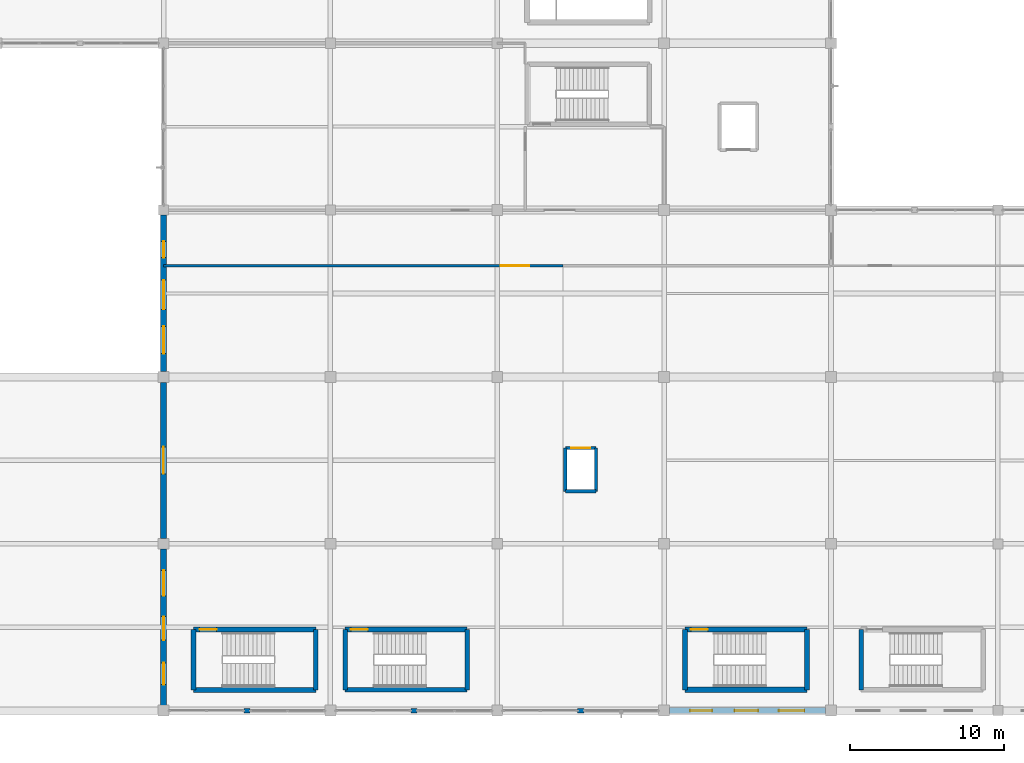
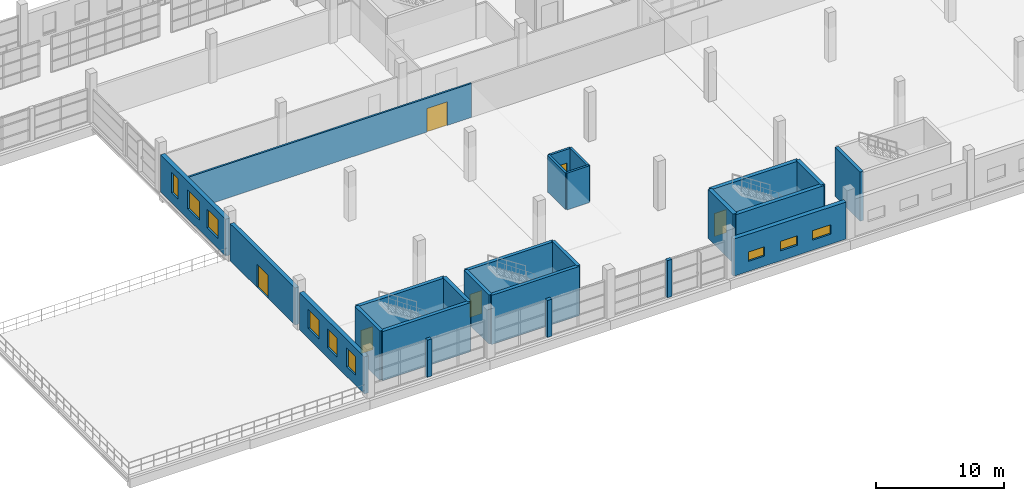
# One storey, part 110 of 142: 25 walls, 9 windows, 6 doors, 15 openings.
"""IFC4 building model written with IfcOpenShell, lengths in metres."""

from ifc_helpers import new_model, si_unit, direction, frame, frame_2d, origin, place, context, subcontext, project, spatial, rectangle, extrude, material, layer, layer_set, type_object, element, fill, save


model = new_model("IFC4")

# Units and contexts
model_context = context("Model", 3, precision=1e-05, world=origin(), true_north=direction((0.0, 1.0)))
body_context = subcontext(model_context, "Body", "Model", "MODEL_VIEW")
ifc_project = project(units=[si_unit("LENGTHUNIT", "METRE"), si_unit("AREAUNIT", "SQUARE_METRE"), si_unit("VOLUMEUNIT", "CUBIC_METRE"), si_unit("PLANEANGLEUNIT", "RADIAN"), si_unit("MASSUNIT", "GRAM", prefix="KILO")], contexts=[model_context])

# Site, building, storey
site_placement = place(None, origin())
site = spatial("IfcSite", under=ifc_project, at=site_placement, CompositionType="ELEMENT")
building_placement = place(site_placement, origin())
building = spatial("IfcBuilding", under=site, at=building_placement, Name="Zwinboog Wholesale Market", CompositionType="ELEMENT")
storey_placement = place(building_placement, frame((0.0, 0.0, 5.39990234375)))
storey = spatial("IfcBuildingStorey", under=building, at=storey_placement, Name="L01", CompositionType="ELEMENT", Elevation=5.39990234375)

# Wall, opening, door
ifc_material_1 = material(Name="Precast concrete C45/55", Category="concrete")
ifc_layer_1 = layer(ifc_material_1, 0.3701171875)
ifc_layer_set_1 = layer_set([ifc_layer_1], Name="Precast concrete C45/55")
wall_type_1 = type_object("IfcWallType", Name="WT-EW-370", PredefinedType="STANDARD", material=ifc_layer_set_1)
wall_1_placement = place(storey_placement, frame((129.60009765625, 11.14501953125, 0.0), z_axis=(0.0, 0.0, 1.0), x_axis=(0.0, 1.0, 0.0)))
wall_1 = element("IfcWall", 1, at=wall_1_placement, inside=storey, type_object=wall_type_1, Name="EW-01 (WL-EW-L01-146)", PredefinedType="STANDARD", context=body_context, shape_type="SweptSolid", body=[
    extrude(rectangle(XDim=10.10986328125, YDim=0.3701171875, at=frame_2d((5.054931640625, 0.0))), origin(), (0.0, 0.0, 1.0), 3.530029296875),
])
opening_1_placement = place(wall_1_placement, frame((4.175048828125, 0.0, 0.0)))
opening_1 = element("IfcOpeningElement", 2, at=opening_1_placement, cuts=wall_1, Name="Opening TD-32", PredefinedType="OPENING", context=body_context, shape_type="SweptSolid", body=[
    extrude(rectangle(XDim=1.760009765625, YDim=2.199951171875, at=frame_2d((0.8798828125, 1.10009765625))), frame((0.0, 0.195068359375, 0.0), z_axis=(0.0, -1.0, 0.0), x_axis=(1.0, 0.0, 0.0)), (0.0, 0.0, 1.0), 0.39013671875),
])
ifc_material_2 = material(Name="Insulated powder-coated steel and aluminium door", Category="steel")
door_type_1 = type_object("IfcDoorType", Name="EDT-TR-176", OperationType="DOUBLE_DOOR_SINGLE_SWING", PredefinedType="DOOR", material=ifc_material_2)
door_1_placement = place(opening_1_placement, origin())
door_1 = element("IfcDoor", 3, at=door_1_placement, inside=storey, type_object=door_type_1, Name="Terrace Access Door TD-32 (TR-L01-DIN)", OperationType="DOUBLE_DOOR_SINGLE_SWING", OverallHeight=2.199951171875, OverallWidth=1.760009765625, PredefinedType="DOOR", context=body_context, shape_type="SweptSolid", body=[
    extrude(rectangle(XDim=1.760009765625, YDim=2.199951171875, at=frame_2d((0.8798828125, 1.10009765625))), frame((0.0, 0.02490234375, 0.0), z_axis=(0.0, -1.0, 0.0), x_axis=(1.0, 0.0, 0.0)), (0.0, 0.0, 1.0), 0.050048828125),
])
fill(opening_1, door_1)

# Wall, openings, windows
ifc_layer_2 = layer(ifc_material_1, 0.389892578125)
ifc_layer_set_2 = layer_set([ifc_layer_2], Name="Precast concrete C45/55")
wall_type_2 = type_object("IfcWallType", Name="WT-EW-390", PredefinedType="STANDARD", material=ifc_layer_set_2)
wall_2_placement = place(storey_placement, frame((129.60009765625, 0.344970703125, 0.0), z_axis=(0.0, 0.0, 1.0), x_axis=(0.0, 1.0, 0.0)))
wall_2 = element("IfcWall", 4, at=wall_2_placement, inside=storey, type_object=wall_type_2, Name="EW-02 (WL-EW-L01-145)", PredefinedType="STANDARD", context=body_context, shape_type="SweptSolid", body=[
    extrude(rectangle(XDim=10.110107421875, YDim=0.389892578125, at=frame_2d((5.05517578125, 0.0))), origin(), (0.0, 0.0, 1.0), 3.530029296875),
])
opening_2_placement = place(wall_2_placement, frame((1.344970703125, 0.0, 0.949951171875)))
opening_2 = element("IfcOpeningElement", 5, at=opening_2_placement, cuts=wall_2, Name="Opening WN-52", PredefinedType="OPENING", context=body_context, shape_type="SweptSolid", body=[
    extrude(rectangle(XDim=1.409912109375, YDim=1.800048828125, at=frame_2d((0.705078125, 0.89990234375))), frame((0.0, 0.204833984375, 0.0), z_axis=(0.0, -1.0, 0.0), x_axis=(1.0, 0.0, 0.0)), (0.0, 0.0, 1.0), 0.409912109375),
])
opening_3_placement = place(wall_2_placement, frame((4.215087890625, 0.0, 0.949951171875)))
opening_3 = element("IfcOpeningElement", 6, at=opening_3_placement, cuts=wall_2, Name="Opening WN-53", PredefinedType="OPENING", context=body_context, shape_type="SweptSolid", body=[
    extrude(rectangle(XDim=1.530029296875, YDim=1.800048828125, at=frame_2d((0.76513671875, 0.89990234375))), frame((0.0, 0.204833984375, 0.0), z_axis=(0.0, -1.0, 0.0), x_axis=(1.0, 0.0, 0.0)), (0.0, 0.0, 1.0), 0.409912109375),
])
opening_4_placement = place(wall_2_placement, frame((7.0849609375, 0.0, 0.949951171875)))
opening_4 = element("IfcOpeningElement", 7, at=opening_4_placement, cuts=wall_2, Name="Opening WN-54", PredefinedType="OPENING", context=body_context, shape_type="SweptSolid", body=[
    extrude(rectangle(XDim=1.64990234375, YDim=1.800048828125, at=frame_2d((0.824951171875, 0.89990234375))), frame((0.0, 0.204833984375, 0.0), z_axis=(0.0, -1.0, 0.0), x_axis=(1.0, 0.0, 0.0)), (0.0, 0.0, 1.0), 0.409912109375),
])
ifc_material_3 = material(Name="Thermally broken aluminium low-e window", Category="aluminium")
window_type_1 = type_object("IfcWindowType", Name="WNT-52", PartitioningType="SINGLE_PANEL", PredefinedType="WINDOW", material=ifc_material_3)
window_1_placement = place(opening_2_placement, origin())
window_1 = element("IfcWindow", 8, at=window_1_placement, inside=storey, type_object=window_type_1, Name="WN-52 (WIN-L01-0124)", OverallHeight=1.800048828125, OverallWidth=1.409912109375, PartitioningType="SINGLE_PANEL", PredefinedType="WINDOW", context=body_context, shape_type="SweptSolid", body=[
    extrude(rectangle(XDim=1.409912109375, YDim=1.800048828125, at=frame_2d((0.705078125, 0.89990234375))), frame((0.0, 0.030029296875, 0.0), z_axis=(0.0, -1.0, 0.0), x_axis=(1.0, 0.0, 0.0)), (0.0, 0.0, 1.0), 0.06005859375),
])
fill(opening_2, window_1)
window_type_2 = type_object("IfcWindowType", Name="WNT-53", PartitioningType="SINGLE_PANEL", PredefinedType="WINDOW", material=ifc_material_3)
window_2_placement = place(opening_3_placement, origin())
window_2 = element("IfcWindow", 9, at=window_2_placement, inside=storey, type_object=window_type_2, Name="WN-53 (WIN-L01-0125)", OverallHeight=1.800048828125, OverallWidth=1.530029296875, PartitioningType="SINGLE_PANEL", PredefinedType="WINDOW", context=body_context, shape_type="SweptSolid", body=[
    extrude(rectangle(XDim=1.530029296875, YDim=1.800048828125, at=frame_2d((0.76513671875, 0.89990234375))), frame((0.0, 0.030029296875, 0.0), z_axis=(0.0, -1.0, 0.0), x_axis=(1.0, 0.0, 0.0)), (0.0, 0.0, 1.0), 0.06005859375),
])
fill(opening_3, window_2)
window_type_3 = type_object("IfcWindowType", Name="WNT-54", PartitioningType="SINGLE_PANEL", PredefinedType="WINDOW", material=ifc_material_3)
window_3_placement = place(opening_4_placement, origin())
window_3 = element("IfcWindow", 10, at=window_3_placement, inside=storey, type_object=window_type_3, Name="WN-54 (WIN-L01-0126)", OverallHeight=1.800048828125, OverallWidth=1.64990234375, PartitioningType="SINGLE_PANEL", PredefinedType="WINDOW", context=body_context, shape_type="SweptSolid", body=[
    extrude(rectangle(XDim=1.64990234375, YDim=1.800048828125, at=frame_2d((0.824951171875, 0.89990234375))), frame((0.0, 0.030029296875, 0.0), z_axis=(0.0, -1.0, 0.0), x_axis=(1.0, 0.0, 0.0)), (0.0, 0.0, 1.0), 0.06005859375),
])
fill(opening_4, window_3)

wall_3_placement = place(storey_placement, frame((129.60009765625, 21.945068359375, 0.0), z_axis=(0.0, 0.0, 1.0), x_axis=(0.0, 1.0, 0.0)))
wall_3 = element("IfcWall", 11, at=wall_3_placement, inside=storey, type_object=wall_type_2, Name="EW-02 (WL-EW-L01-147)", PredefinedType="STANDARD", context=body_context, shape_type="SweptSolid", body=[
    extrude(rectangle(XDim=10.135009765625, YDim=0.389892578125, at=frame_2d((5.0673828125, 0.0))), origin(), (0.0, 0.0, 1.0), 3.530029296875),
])
opening_5_placement = place(wall_3_placement, frame((1.1650390625, 0.0, 0.949951171875)))
opening_5 = element("IfcOpeningElement", 12, at=opening_5_placement, cuts=wall_3, Name="Opening WN-55", PredefinedType="OPENING", context=body_context, shape_type="SweptSolid", body=[
    extrude(rectangle(XDim=1.77001953125, YDim=1.800048828125, at=frame_2d((0.885009765625, 0.89990234375))), frame((0.0, 0.204833984375, 0.0), z_axis=(0.0, -1.0, 0.0), x_axis=(1.0, 0.0, 0.0)), (0.0, 0.0, 1.0), 0.409912109375),
])
opening_6_placement = place(wall_3_placement, frame((4.034912109375, 0.0, 0.949951171875)))
opening_6 = element("IfcOpeningElement", 13, at=opening_6_placement, cuts=wall_3, Name="Opening WN-56", PredefinedType="OPENING", context=body_context, shape_type="SweptSolid", body=[
    extrude(rectangle(XDim=1.889892578125, YDim=1.800048828125, at=frame_2d((0.94482421875, 0.89990234375))), frame((0.0, 0.204833984375, 0.0), z_axis=(0.0, -1.0, 0.0), x_axis=(1.0, 0.0, 0.0)), (0.0, 0.0, 1.0), 0.409912109375),
])
opening_7_placement = place(wall_3_placement, frame((7.385009765625, 0.0, 0.949951171875)))
opening_7 = element("IfcOpeningElement", 14, at=opening_7_placement, cuts=wall_3, Name="Opening WN-57", PredefinedType="OPENING", context=body_context, shape_type="SweptSolid", body=[
    extrude(rectangle(XDim=1.050048828125, YDim=1.949951171875, at=frame_2d((0.52490234375, 0.97509765625))), frame((0.0, 0.204833984375, 0.0), z_axis=(0.0, -1.0, 0.0), x_axis=(1.0, 0.0, 0.0)), (0.0, 0.0, 1.0), 0.409912109375),
])
window_type_4 = type_object("IfcWindowType", Name="WNT-55", PartitioningType="SINGLE_PANEL", PredefinedType="WINDOW", material=ifc_material_3)
window_4_placement = place(opening_5_placement, origin())
window_4 = element("IfcWindow", 15, at=window_4_placement, inside=storey, type_object=window_type_4, Name="WN-55 (WIN-L01-0127)", OverallHeight=1.800048828125, OverallWidth=1.77001953125, PartitioningType="SINGLE_PANEL", PredefinedType="WINDOW", context=body_context, shape_type="SweptSolid", body=[
    extrude(rectangle(XDim=1.77001953125, YDim=1.800048828125, at=frame_2d((0.885009765625, 0.89990234375))), frame((0.0, 0.030029296875, 0.0), z_axis=(0.0, -1.0, 0.0), x_axis=(1.0, 0.0, 0.0)), (0.0, 0.0, 1.0), 0.06005859375),
])
fill(opening_5, window_4)
window_type_5 = type_object("IfcWindowType", Name="WNT-56", PartitioningType="SINGLE_PANEL", PredefinedType="WINDOW", material=ifc_material_3)
window_5_placement = place(opening_6_placement, origin())
window_5 = element("IfcWindow", 16, at=window_5_placement, inside=storey, type_object=window_type_5, Name="WN-56 (WIN-L01-0128)", OverallHeight=1.800048828125, OverallWidth=1.889892578125, PartitioningType="SINGLE_PANEL", PredefinedType="WINDOW", context=body_context, shape_type="SweptSolid", body=[
    extrude(rectangle(XDim=1.889892578125, YDim=1.800048828125, at=frame_2d((0.94482421875, 0.89990234375))), frame((0.0, 0.030029296875, 0.0), z_axis=(0.0, -1.0, 0.0), x_axis=(1.0, 0.0, 0.0)), (0.0, 0.0, 1.0), 0.06005859375),
])
fill(opening_6, window_5)
window_type_6 = type_object("IfcWindowType", Name="WNT-57", PartitioningType="SINGLE_PANEL", PredefinedType="WINDOW", material=ifc_material_3)
window_6_placement = place(opening_7_placement, origin())
window_6 = element("IfcWindow", 17, at=window_6_placement, inside=storey, type_object=window_type_6, Name="WN-57 (WIN-L01-0129)", OverallHeight=1.949951171875, OverallWidth=1.050048828125, PartitioningType="SINGLE_PANEL", PredefinedType="WINDOW", context=body_context, shape_type="SweptSolid", body=[
    extrude(rectangle(XDim=1.050048828125, YDim=1.949951171875, at=frame_2d((0.52490234375, 0.97509765625))), frame((0.0, 0.030029296875, 0.0), z_axis=(0.0, -1.0, 0.0), x_axis=(1.0, 0.0, 0.0)), (0.0, 0.0, 1.0), 0.06005859375),
])
fill(opening_7, window_6)

wall_4_placement = place(storey_placement, frame((162.344970703125, 0.0, 0.0), z_axis=(0.0, 0.0, 1.0), x_axis=(1.0, 0.0, 0.0)))
wall_4 = element("IfcWall", 18, at=wall_4_placement, inside=storey, type_object=wall_type_2, Name="EW-02 (WL-EW-L01-161)", PredefinedType="STANDARD", context=body_context, shape_type="SweptSolid", body=[
    extrude(rectangle(XDim=10.110107421875, YDim=0.389892578125, at=frame_2d((5.05517578125, 0.0))), origin(), (0.0, 0.0, 1.0), 3.530029296875),
])
opening_8_placement = place(wall_4_placement, frame((1.344970703125, 0.0, 0.949951171875)))
opening_8 = element("IfcOpeningElement", 19, at=opening_8_placement, cuts=wall_4, Name="Opening WN-04", PredefinedType="OPENING", context=body_context, shape_type="SweptSolid", body=[
    extrude(rectangle(XDim=1.409912109375, YDim=0.89990234375, at=frame_2d((0.705078125, 0.449951171875))), frame((0.0, 0.204833984375, 0.0), z_axis=(0.0, -1.0, 0.0), x_axis=(1.0, 0.0, 0.0)), (0.0, 0.0, 1.0), 0.409912109375),
])
opening_9_placement = place(wall_4_placement, frame((4.215087890625, 0.0, 0.949951171875)))
opening_9 = element("IfcOpeningElement", 20, at=opening_9_placement, cuts=wall_4, Name="Opening WN-05", PredefinedType="OPENING", context=body_context, shape_type="SweptSolid", body=[
    extrude(rectangle(XDim=1.530029296875, YDim=0.89990234375, at=frame_2d((0.76513671875, 0.449951171875))), frame((0.0, 0.204833984375, 0.0), z_axis=(0.0, -1.0, 0.0), x_axis=(1.0, 0.0, 0.0)), (0.0, 0.0, 1.0), 0.409912109375),
])
opening_10_placement = place(wall_4_placement, frame((7.0849609375, 0.0, 0.949951171875)))
opening_10 = element("IfcOpeningElement", 21, at=opening_10_placement, cuts=wall_4, Name="Opening WN-06", PredefinedType="OPENING", context=body_context, shape_type="SweptSolid", body=[
    extrude(rectangle(XDim=1.64990234375, YDim=0.89990234375, at=frame_2d((0.824951171875, 0.449951171875))), frame((0.0, 0.204833984375, 0.0), z_axis=(0.0, -1.0, 0.0), x_axis=(1.0, 0.0, 0.0)), (0.0, 0.0, 1.0), 0.409912109375),
])
window_type_7 = type_object("IfcWindowType", Name="WNT-04", PartitioningType="SINGLE_PANEL", PredefinedType="WINDOW", material=ifc_material_3)
window_7_placement = place(opening_8_placement, frame((1.409912109375, 0.0, 0.0), z_axis=(0.0, 0.0, 1.0), x_axis=(-1.0, 0.0, 0.0)))
window_7 = element("IfcWindow", 22, at=window_7_placement, inside=storey, type_object=window_type_7, Name="WN-04 (WIN-L01-0148)", OverallHeight=0.89990234375, OverallWidth=1.409912109375, PartitioningType="SINGLE_PANEL", PredefinedType="WINDOW", context=body_context, shape_type="SweptSolid", body=[
    extrude(rectangle(XDim=1.409912109375, YDim=0.89990234375, at=frame_2d((0.705078125, 0.449951171875))), frame((0.0, 0.030029296875, 0.0), z_axis=(0.0, -1.0, 0.0), x_axis=(1.0, 0.0, 0.0)), (0.0, 0.0, 1.0), 0.06005859375),
])
fill(opening_8, window_7)
window_type_8 = type_object("IfcWindowType", Name="WNT-05", PartitioningType="SINGLE_PANEL", PredefinedType="WINDOW", material=ifc_material_3)
window_8_placement = place(opening_9_placement, frame((1.530029296875, 0.0, 0.0), z_axis=(0.0, 0.0, 1.0), x_axis=(-1.0, 0.0, 0.0)))
window_8 = element("IfcWindow", 23, at=window_8_placement, inside=storey, type_object=window_type_8, Name="WN-05 (WIN-L01-0149)", OverallHeight=0.89990234375, OverallWidth=1.530029296875, PartitioningType="SINGLE_PANEL", PredefinedType="WINDOW", context=body_context, shape_type="SweptSolid", body=[
    extrude(rectangle(XDim=1.530029296875, YDim=0.89990234375, at=frame_2d((0.76513671875, 0.449951171875))), frame((0.0, 0.030029296875, 0.0), z_axis=(0.0, -1.0, 0.0), x_axis=(1.0, 0.0, 0.0)), (0.0, 0.0, 1.0), 0.06005859375),
])
fill(opening_9, window_8)
window_type_9 = type_object("IfcWindowType", Name="WNT-06", PartitioningType="SINGLE_PANEL", PredefinedType="WINDOW", material=ifc_material_3)
window_9_placement = place(opening_10_placement, frame((1.64990234375, 0.0, 0.0), z_axis=(0.0, 0.0, 1.0), x_axis=(-1.0, 0.0, 0.0)))
window_9 = element("IfcWindow", 24, at=window_9_placement, inside=storey, type_object=window_type_9, Name="WN-06 (WIN-L01-0150)", OverallHeight=0.89990234375, OverallWidth=1.64990234375, PartitioningType="SINGLE_PANEL", PredefinedType="WINDOW", context=body_context, shape_type="SweptSolid", body=[
    extrude(rectangle(XDim=1.64990234375, YDim=0.89990234375, at=frame_2d((0.824951171875, 0.449951171875))), frame((0.0, 0.030029296875, 0.0), z_axis=(0.0, -1.0, 0.0), x_axis=(1.0, 0.0, 0.0)), (0.0, 0.0, 1.0), 0.06005859375),
])
fill(opening_10, window_9)

# Walls
ifc_layer_3 = layer(ifc_material_1, 0.304931640625)
ifc_layer_set_3 = layer_set([ifc_layer_3], Name="Precast concrete C45/55")
wall_type_3 = type_object("IfcWallType", Name="WT-EW-305", PredefinedType="STANDARD", material=ifc_layer_set_3)
for number, where, z_axis, x_axis, name in (
    (25, (134.800048828125, 0.0, 0.0), (0.0, 0.0, 1.0), (1.0, 0.0, 0.0), "EW-07 (WL-PIER-L01-144)"),
    (26, (145.60009765625, 0.0, 0.0), (0.0, 0.0, 1.0), (1.0, 0.0, 0.0), "EW-07 (WL-PIER-L01-152)"),
):
    element("IfcWall", number, at=place(storey_placement, frame(where, z_axis=z_axis, x_axis=x_axis)), inside=storey, type_object=wall_type_3, Name=name, PredefinedType="STANDARD", context=body_context, shape_type="SweptSolid", body=[
        extrude(rectangle(XDim=0.39990234375, YDim=0.304931640625, at=frame_2d((0.199951171875, 0.0))), origin(), (0.0, 0.0, 1.0), 3.530029296875),
    ])
wall_5_placement = place(storey_placement, frame((156.39990234375, 0.0, 0.0), z_axis=(0.0, 0.0, 1.0), x_axis=(1.0, 0.0, 0.0)))
element("IfcWall", 27, at=wall_5_placement, inside=storey, type_object=wall_type_3, Name="EW-07 (WL-PIER-L01-156)", PredefinedType="STANDARD", context=body_context, shape_type="SweptSolid", body=[
    extrude(rectangle(XDim=0.400146484375, YDim=0.304931640625, at=frame_2d((0.2001953125, 0.0))), origin(), (0.0, 0.0, 1.0), 3.530029296875),
])
ifc_material_4 = material(Name="Concrete C40/50", Category="concrete")
ifc_layer_4 = layer(ifc_material_4, 0.300048828125)
ifc_layer_set_4 = layer_set([ifc_layer_4], Name="Concrete C40/50")
wall_type_4 = type_object("IfcWallType", Name="WT-SW-300", PredefinedType="SHEAR", material=ifc_layer_set_4)
wall_6_placement = place(storey_placement, frame((174.75, 1.35009765625, 0.0), z_axis=(0.0, 0.0, 1.0), x_axis=(0.0, 1.0, 0.0)))
element("IfcWall", 28, at=wall_6_placement, inside=storey, type_object=wall_type_4, Name="SW-02 (WL-SW-L01-075)", PredefinedType="SHEAR", context=body_context, shape_type="SweptSolid", body=[
    extrude(rectangle(XDim=3.89990234375, YDim=0.300048828125, at=frame_2d((1.949951171875, 0.0))), origin(), (0.0, 0.0, 1.0), 4.68017578125),
])
wall_7_placement = place(storey_placement, frame((141.35009765625, 1.35009765625, 0.0), z_axis=(0.0, 0.0, 1.0), x_axis=(1.0, 0.0, 0.0)))
element("IfcWall", 29, at=wall_7_placement, inside=storey, type_object=wall_type_4, Name="SW-02 (WL-SW-L01-133)", PredefinedType="SHEAR", context=body_context, shape_type="SweptSolid", body=[
    extrude(rectangle(XDim=7.89990234375, YDim=0.300048828125, at=frame_2d((3.949951171875, 0.0))), origin(), (0.0, 0.0, 1.0), 4.68017578125),
])

# Wall, opening, door
wall_8_placement = place(storey_placement, frame((141.35009765625, 5.25, 0.0), z_axis=(0.0, 0.0, 1.0), x_axis=(1.0, 0.0, 0.0)))
wall_8 = element("IfcWall", 30, at=wall_8_placement, inside=storey, type_object=wall_type_4, Name="SW-02 (WL-SW-L01-134)", PredefinedType="SHEAR", context=body_context, shape_type="SweptSolid", body=[
    extrude(rectangle(XDim=7.89990234375, YDim=0.300048828125, at=frame_2d((3.949951171875, 0.0))), origin(), (0.0, 0.0, 1.0), 4.68017578125),
])
opening_11_placement = place(wall_8_placement, frame((0.3798828125, 0.0, 0.0)))
opening_11 = element("IfcOpeningElement", 31, at=opening_11_placement, cuts=wall_8, Name="Opening FD-0034", PredefinedType="OPENING", context=body_context, shape_type="SweptSolid", body=[
    extrude(rectangle(XDim=1.10009765625, YDim=2.199951171875, at=frame_2d((0.550048828125, 1.10009765625))), frame((0.0, 0.159912109375, 0.0), z_axis=(0.0, -1.0, 0.0), x_axis=(1.0, 0.0, 0.0)), (0.0, 0.0, 1.0), 0.320068359375),
])
ifc_material_5 = material(Name="Timber and powder-coated steel door leaf", Category="steel")
door_type_2 = type_object("IfcDoorType", Name="IDT-FD-02", OperationType="NOTDEFINED", PredefinedType="DOOR", material=ifc_material_5)
door_2_placement = place(opening_11_placement, origin())
door_2 = element("IfcDoor", 32, at=door_2_placement, inside=storey, type_object=door_type_2, Name="Core Fire Door FD-0034", OperationType="SINGLE_SWING_LEFT", OverallHeight=2.199951171875, OverallWidth=1.10009765625, PredefinedType="DOOR", context=body_context, shape_type="SweptSolid", body=[
    extrude(rectangle(XDim=1.10009765625, YDim=2.199951171875, at=frame_2d((0.550048828125, 1.10009765625))), frame((0.0, 0.02490234375, 0.0), z_axis=(0.0, -1.0, 0.0), x_axis=(1.0, 0.0, 0.0)), (0.0, 0.0, 1.0), 0.050048828125),
])
fill(opening_11, door_2)

# Walls
for number, where, z_axis, x_axis, name in (
    (33, (141.35009765625, 1.35009765625, 0.0), (0.0, 0.0, 1.0), (0.0, 1.0, 0.0), "SW-02 (WL-SW-L01-135)"),
    (34, (149.25, 1.35009765625, 0.0), (0.0, 0.0, 1.0), (0.0, 1.0, 0.0), "SW-02 (WL-SW-L01-136)"),
):
    element("IfcWall", number, at=place(storey_placement, frame(where, z_axis=z_axis, x_axis=x_axis)), inside=storey, type_object=wall_type_4, Name=name, PredefinedType="SHEAR", context=body_context, shape_type="SweptSolid", body=[
        extrude(rectangle(XDim=3.89990234375, YDim=0.300048828125, at=frame_2d((1.949951171875, 0.0))), origin(), (0.0, 0.0, 1.0), 4.68017578125),
    ])
ifc_layer_5 = layer(ifc_material_4, 0.320068359375)
ifc_layer_set_5 = layer_set([ifc_layer_5], Name="Concrete C40/50")
wall_type_5 = type_object("IfcWallType", Name="WT-SW-320", PredefinedType="SHEAR", material=ifc_layer_set_5)
wall_9_placement = place(storey_placement, frame((131.550048828125, 1.35009765625, 0.0), z_axis=(0.0, 0.0, 1.0), x_axis=(1.0, 0.0, 0.0)))
element("IfcWall", 35, at=wall_9_placement, inside=storey, type_object=wall_type_5, Name="SW-03 (WL-SW-L01-085)", PredefinedType="SHEAR", context=body_context, shape_type="SweptSolid", body=[
    extrude(rectangle(XDim=7.89990234375, YDim=0.320068359375, at=frame_2d((3.949951171875, 0.0))), origin(), (0.0, 0.0, 1.0), 4.68017578125),
])

# Wall, opening, door
wall_10_placement = place(storey_placement, frame((131.550048828125, 5.25, 0.0), z_axis=(0.0, 0.0, 1.0), x_axis=(1.0, 0.0, 0.0)))
wall_10 = element("IfcWall", 36, at=wall_10_placement, inside=storey, type_object=wall_type_5, Name="SW-03 (WL-SW-L01-086)", PredefinedType="SHEAR", context=body_context, shape_type="SweptSolid", body=[
    extrude(rectangle(XDim=7.89990234375, YDim=0.320068359375, at=frame_2d((3.949951171875, 0.0))), origin(), (0.0, 0.0, 1.0), 4.68017578125),
])
opening_12_placement = place(wall_10_placement, frame((0.3798828125, 0.0, 0.0)))
opening_12 = element("IfcOpeningElement", 37, at=opening_12_placement, cuts=wall_10, Name="Opening FD-0022", PredefinedType="OPENING", context=body_context, shape_type="SweptSolid", body=[
    extrude(rectangle(XDim=1.10009765625, YDim=2.199951171875, at=frame_2d((0.550048828125, 1.10009765625))), frame((0.0, 0.169921875, 0.0), z_axis=(0.0, -1.0, 0.0), x_axis=(1.0, 0.0, 0.0)), (0.0, 0.0, 1.0), 0.340087890625),
])
door_3_placement = place(opening_12_placement, origin())
door_3 = element("IfcDoor", 38, at=door_3_placement, inside=storey, type_object=door_type_2, Name="Core Fire Door FD-0022", OperationType="SINGLE_SWING_LEFT", OverallHeight=2.199951171875, OverallWidth=1.10009765625, PredefinedType="DOOR", context=body_context, shape_type="SweptSolid", body=[
    extrude(rectangle(XDim=1.10009765625, YDim=2.199951171875, at=frame_2d((0.550048828125, 1.10009765625))), frame((0.0, 0.02490234375, 0.0), z_axis=(0.0, -1.0, 0.0), x_axis=(1.0, 0.0, 0.0)), (0.0, 0.0, 1.0), 0.050048828125),
])
fill(opening_12, door_3)

# Walls
for number, where, z_axis, x_axis, name in (
    (39, (131.550048828125, 1.35009765625, 0.0), (0.0, 0.0, 1.0), (0.0, 1.0, 0.0), "SW-03 (WL-SW-L01-087)"),
    (40, (139.449951171875, 1.35009765625, 0.0), (0.0, 0.0, 1.0), (0.0, 1.0, 0.0), "SW-03 (WL-SW-L01-088)"),
):
    element("IfcWall", number, at=place(storey_placement, frame(where, z_axis=z_axis, x_axis=x_axis)), inside=storey, type_object=wall_type_5, Name=name, PredefinedType="SHEAR", context=body_context, shape_type="SweptSolid", body=[
        extrude(rectangle(XDim=3.89990234375, YDim=0.320068359375, at=frame_2d((1.949951171875, 0.0))), origin(), (0.0, 0.0, 1.0), 4.68017578125),
    ])
ifc_layer_6 = layer(ifc_material_4, 0.35009765625)
ifc_layer_set_6 = layer_set([ifc_layer_6], Name="Concrete C40/50")
wall_type_6 = type_object("IfcWallType", Name="WT-SW-350", PredefinedType="SHEAR", material=ifc_layer_set_6)
wall_11_placement = place(storey_placement, frame((163.35009765625, 1.35009765625, 0.0), z_axis=(0.0, 0.0, 1.0), x_axis=(1.0, 0.0, 0.0)))
element("IfcWall", 41, at=wall_11_placement, inside=storey, type_object=wall_type_6, Name="SW-04 (WL-SW-L01-101)", PredefinedType="SHEAR", context=body_context, shape_type="SweptSolid", body=[
    extrude(rectangle(XDim=7.89990234375, YDim=0.35009765625, at=frame_2d((3.949951171875, 0.0))), origin(), (0.0, 0.0, 1.0), 4.68017578125),
])

# Wall, opening, door
wall_12_placement = place(storey_placement, frame((163.35009765625, 5.25, 0.0), z_axis=(0.0, 0.0, 1.0), x_axis=(1.0, 0.0, 0.0)))
wall_12 = element("IfcWall", 42, at=wall_12_placement, inside=storey, type_object=wall_type_6, Name="SW-04 (WL-SW-L01-102)", PredefinedType="SHEAR", context=body_context, shape_type="SweptSolid", body=[
    extrude(rectangle(XDim=7.89990234375, YDim=0.35009765625, at=frame_2d((3.949951171875, 0.0))), origin(), (0.0, 0.0, 1.0), 4.68017578125),
])
opening_13_placement = place(wall_12_placement, frame((0.3798828125, 0.0, 0.0)))
opening_13 = element("IfcOpeningElement", 43, at=opening_13_placement, cuts=wall_12, Name="Opening FD-0026", PredefinedType="OPENING", context=body_context, shape_type="SweptSolid", body=[
    extrude(rectangle(XDim=1.10009765625, YDim=2.199951171875, at=frame_2d((0.550048828125, 1.10009765625))), frame((0.0, 0.18505859375, 0.0), z_axis=(0.0, -1.0, 0.0), x_axis=(1.0, 0.0, 0.0)), (0.0, 0.0, 1.0), 0.3701171875),
])
door_4_placement = place(opening_13_placement, origin())
door_4 = element("IfcDoor", 44, at=door_4_placement, inside=storey, type_object=door_type_2, Name="Core Fire Door FD-0026", OperationType="SINGLE_SWING_LEFT", OverallHeight=2.199951171875, OverallWidth=1.10009765625, PredefinedType="DOOR", context=body_context, shape_type="SweptSolid", body=[
    extrude(rectangle(XDim=1.10009765625, YDim=2.199951171875, at=frame_2d((0.550048828125, 1.10009765625))), frame((0.0, 0.02490234375, 0.0), z_axis=(0.0, -1.0, 0.0), x_axis=(1.0, 0.0, 0.0)), (0.0, 0.0, 1.0), 0.050048828125),
])
fill(opening_13, door_4)

# Walls
for number, where, z_axis, x_axis, name in (
    (45, (163.35009765625, 1.35009765625, 0.0), (0.0, 0.0, 1.0), (0.0, 1.0, 0.0), "SW-04 (WL-SW-L01-103)"),
    (46, (171.25, 1.35009765625, 0.0), (0.0, 0.0, 1.0), (0.0, 1.0, 0.0), "SW-04 (WL-SW-L01-104)"),
):
    element("IfcWall", number, at=place(storey_placement, frame(where, z_axis=z_axis, x_axis=x_axis)), inside=storey, type_object=wall_type_6, Name=name, PredefinedType="SHEAR", context=body_context, shape_type="SweptSolid", body=[
        extrude(rectangle(XDim=3.89990234375, YDim=0.35009765625, at=frame_2d((1.949951171875, 0.0))), origin(), (0.0, 0.0, 1.0), 4.68017578125),
    ])
ifc_layer_7 = layer(ifc_material_1, 0.199951171875)
ifc_layer_set_7 = layer_set([ifc_layer_7], Name="Precast concrete C45/55")
wall_type_7 = type_object("IfcWallType", Name="WT-IW-200", PredefinedType="SOLIDWALL", material=ifc_layer_set_7)
wall_13_placement = place(storey_placement, frame((155.60009765625, 14.199951171875, 0.0), z_axis=(0.0, 0.0, 1.0), x_axis=(1.0, 0.0, 0.0)))
element("IfcWall", 47, at=wall_13_placement, inside=storey, type_object=wall_type_7, Name="IW-60 (WL-LSH-L01-217)", PredefinedType="SOLIDWALL", context=body_context, shape_type="SweptSolid", body=[
    extrude(rectangle(XDim=2.0, YDim=0.199951171875, at=frame_2d((1.0, 0.0))), origin(), (0.0, 0.0, 1.0), 3.5),
])

# Wall, opening, door
wall_14_placement = place(storey_placement, frame((155.60009765625, 17.0, 0.0), z_axis=(0.0, 0.0, 1.0), x_axis=(1.0, 0.0, 0.0)))
wall_14 = element("IfcWall", 48, at=wall_14_placement, inside=storey, type_object=wall_type_7, Name="IW-60 (WL-LSH-L01-218)", PredefinedType="SOLIDWALL", context=body_context, shape_type="SweptSolid", body=[
    extrude(rectangle(XDim=2.0, YDim=0.199951171875, at=frame_2d((1.0, 0.0))), origin(), (0.0, 0.0, 1.0), 3.5),
])
opening_14_placement = place(wall_14_placement, frame((0.389892578125, 0.0, 0.0)))
opening_14 = element("IfcOpeningElement", 49, at=opening_14_placement, cuts=wall_14, Name="Opening LD-013", PredefinedType="OPENING", context=body_context, shape_type="SweptSolid", body=[
    extrude(rectangle(XDim=1.219970703125, YDim=2.199951171875, at=frame_2d((0.60986328125, 1.10009765625))), frame((0.0, 0.10986328125, 0.0), z_axis=(0.0, -1.0, 0.0), x_axis=(1.0, 0.0, 0.0)), (0.0, 0.0, 1.0), 0.219970703125),
])
door_type_3 = type_object("IfcDoorType", Name="IDT-LD-120", OperationType="DOUBLE_DOOR_SLIDING", PredefinedType="DOOR", material=ifc_material_5)
door_5_placement = place(opening_14_placement, origin())
door_5 = element("IfcDoor", 50, at=door_5_placement, inside=storey, type_object=door_type_3, Name="Lift Landing Door LD-013 (LP-06)", OperationType="DOUBLE_DOOR_SLIDING", OverallHeight=2.199951171875, OverallWidth=1.219970703125, PredefinedType="DOOR", context=body_context, shape_type="SweptSolid", body=[
    extrude(rectangle(XDim=1.219970703125, YDim=2.199951171875, at=frame_2d((0.60986328125, 1.10009765625))), frame((0.0, 0.02490234375, 0.0), z_axis=(0.0, -1.0, 0.0), x_axis=(1.0, 0.0, 0.0)), (0.0, 0.0, 1.0), 0.050048828125),
])
fill(opening_14, door_5)

# Walls
for number, where, z_axis, x_axis, name in (
    (51, (155.60009765625, 14.199951171875, 0.0), (0.0, 0.0, 1.0), (0.0, 1.0, 0.0), "IW-60 (WL-LSH-L01-219)"),
    (52, (157.60009765625, 14.199951171875, 0.0), (0.0, 0.0, 1.0), (0.0, 1.0, 0.0), "IW-60 (WL-LSH-L01-220)"),
):
    element("IfcWall", number, at=place(storey_placement, frame(where, z_axis=z_axis, x_axis=x_axis)), inside=storey, type_object=wall_type_7, Name=name, PredefinedType="SOLIDWALL", context=body_context, shape_type="SweptSolid", body=[
        extrude(rectangle(XDim=2.800048828125, YDim=0.199951171875, at=frame_2d((1.39990234375, 0.0))), origin(), (0.0, 0.0, 1.0), 3.5),
    ])

# Wall, opening, door
ifc_material_6 = material(Name="Laboratory acoustic partition")
ifc_layer_8 = layer(ifc_material_6, 0.16796875)
ifc_layer_set_8 = layer_set([ifc_layer_8], Name="Laboratory acoustic partition")
wall_type_8 = type_object("IfcWallType", Name="WT-PT-168", PredefinedType="PARTITIONING", material=ifc_layer_set_8)
wall_15_placement = place(storey_placement, frame((129.60009765625, 28.800048828125, 0.0), z_axis=(0.0, 0.0, 1.0), x_axis=(1.0, 0.0, 0.0)))
wall_15 = element("IfcWall", 53, at=wall_15_placement, inside=storey, type_object=wall_type_8, Name="PW-05 (WL-IN-L01-0142)", PredefinedType="PARTITIONING", context=body_context, shape_type="SweptSolid", body=[
    extrude(rectangle(XDim=25.849853515625, YDim=0.16796875, at=frame_2d((12.9248046875, 0.0))), origin(), (0.0, 0.0, 1.0), 3.22998046875),
])
opening_15_placement = place(wall_15_placement, frame((21.837890625, 0.0, 0.0)))
opening_15 = element("IfcOpeningElement", 54, at=opening_15_placement, cuts=wall_15, Name="Opening IDF-0069", PredefinedType="OPENING", context=body_context, shape_type="SweptSolid", body=[
    extrude(rectangle(XDim=1.820068359375, YDim=2.25, at=frame_2d((0.91015625, 1.125))), frame((0.0, 0.093994140625, 0.0), z_axis=(0.0, -1.0, 0.0), x_axis=(1.0, 0.0, 0.0)), (0.0, 0.0, 1.0), 0.18798828125),
])
door_type_4 = type_object("IfcDoorType", Name="IDT-FD-04", OperationType="DOUBLE_DOOR_SINGLE_SWING", PredefinedType="DOOR", material=ifc_material_5)
door_6_placement = place(opening_15_placement, frame((1.820068359375, 0.0, 0.0), z_axis=(0.0, 0.0, 1.0), x_axis=(-1.0, 0.0, 0.0)))
door_6 = element("IfcDoor", 55, at=door_6_placement, inside=storey, type_object=door_type_4, Name="Interior Door IDF-0069", OperationType="DOUBLE_DOOR_SINGLE_SWING", OverallHeight=2.25, OverallWidth=1.820068359375, PredefinedType="DOOR", context=body_context, shape_type="SweptSolid", body=[
    extrude(rectangle(XDim=1.820068359375, YDim=2.25, at=frame_2d((0.91015625, 1.125))), frame((0.0, 0.02490234375, 0.0), z_axis=(0.0, -1.0, 0.0), x_axis=(1.0, 0.0, 0.0)), (0.0, 0.0, 1.0), 0.050048828125),
])
fill(opening_15, door_6)

save(model, "model.ifc")
